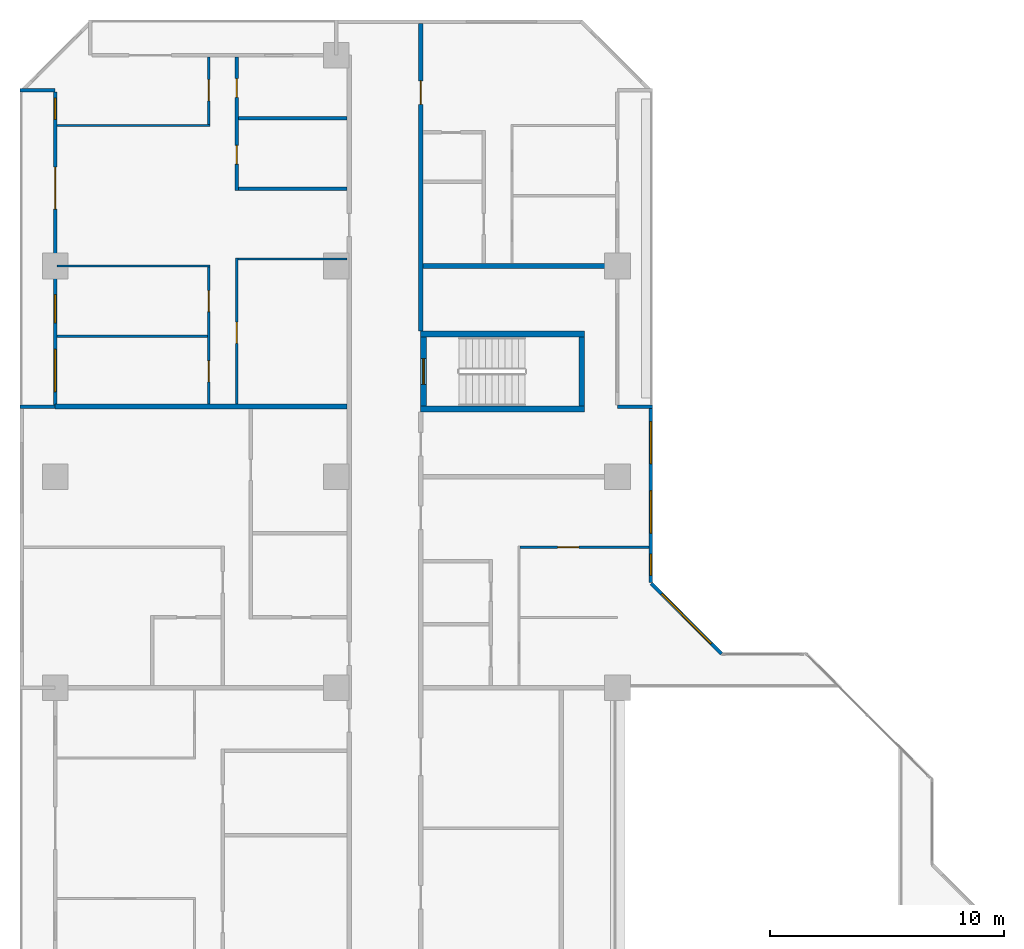
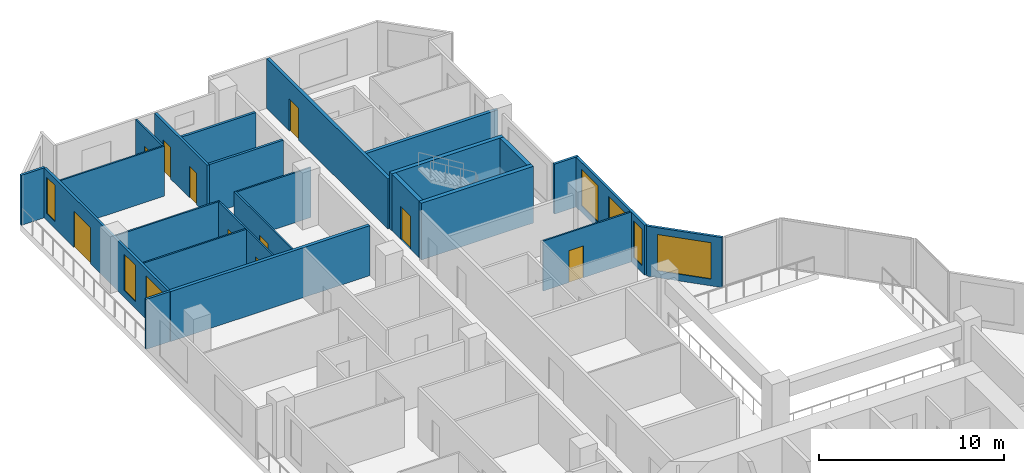
# One storey, part 10 of 16: 24 walls, 10 doors, 7 windows, 17 openings.
"""IFC4 building model written with IfcOpenShell, lengths in metres."""

from ifc_helpers import new_model, si_unit, direction, frame, frame_2d, origin, place, context, subcontext, project, spatial, rectangle, extrude, material, layer, layer_set, type_object, element, fill, save


model = new_model("IFC4")

# Units and contexts
model_context = context("Model", 3, precision=1e-05, world=origin(), true_north=direction((0.0, 1.0)))
body_context = subcontext(model_context, "Body", "Model", "MODEL_VIEW")
ifc_project = project(units=[si_unit("LENGTHUNIT", "METRE"), si_unit("AREAUNIT", "SQUARE_METRE"), si_unit("VOLUMEUNIT", "CUBIC_METRE"), si_unit("PLANEANGLEUNIT", "RADIAN"), si_unit("MASSUNIT", "GRAM", prefix="KILO")], contexts=[model_context])

# Site, building, storey
site_placement = place(None, origin())
site = spatial("IfcSite", under=ifc_project, at=site_placement, CompositionType="ELEMENT")
building_placement = place(site_placement, origin())
building = spatial("IfcBuilding", under=site, at=building_placement, Name="Chenar Terraces", CompositionType="ELEMENT")
storey_placement = place(building_placement, frame((0.0, 0.0, 82.64990234375)))
storey = spatial("IfcBuildingStorey", under=building, at=storey_placement, Name="L18", CompositionType="ELEMENT", Elevation=82.64990234375)

# Walls
ifc_material_1 = material(Name="Concrete C70/85", Category="concrete")
ifc_layer_1 = layer(ifc_material_1, 0.25)
ifc_layer_set_1 = layer_set([ifc_layer_1], Name="Concrete C70/85")
wall_type_1 = type_object("IfcWallType", Name="Core wall 250 Concrete C70/85", PredefinedType="SHEAR", material=ifc_layer_set_1)
for number, where, z_axis, x_axis, name in (
    (1, (15.60009765625, 47.89990234375, 0.0), (0.0, 0.0, 1.0), (1.0, 0.0, 0.0), "Core wall ST4_S L18"),
    (2, (15.60009765625, 51.10009765625, 0.0), (0.0, 0.0, 1.0), (1.0, 0.0, 0.0), "Core wall ST4_N L18"),
):
    element("IfcWall", number, at=place(storey_placement, frame(where, z_axis=z_axis, x_axis=x_axis)), inside=storey, type_object=wall_type_1, Name=name, PredefinedType="SHEAR", context=body_context, shape_type="SweptSolid", body=[
        extrude(rectangle(XDim=7.0, YDim=0.25, at=frame_2d((3.5, 0.0))), origin(), (0.0, 0.0, 1.0), 3.75),
    ])

# Wall, opening, door
wall_1_placement = place(storey_placement, frame((15.72509765625, 48.02490234375, 0.0), z_axis=(0.0, 0.0, 1.0), x_axis=(0.0, 1.0, 0.0)))
wall_1 = element("IfcWall", 3, at=wall_1_placement, inside=storey, type_object=wall_type_1, Name="Core wall ST4_W L18", PredefinedType="SHEAR", context=body_context, shape_type="SweptSolid", body=[
    extrude(rectangle(XDim=2.9501953125, YDim=0.25, at=frame_2d((1.47509765625, 0.0))), origin(), (0.0, 0.0, 1.0), 3.75),
])
opening_1_placement = place(wall_1_placement, frame((0.925048828125, 0.0, 0.0)))
opening_1 = element("IfcOpeningElement", 4, at=opening_1_placement, cuts=wall_1, Name="Opening DL18-C9", PredefinedType="OPENING", context=body_context, shape_type="SweptSolid", body=[
    extrude(rectangle(XDim=1.10009765625, YDim=2.199951171875, at=frame_2d((0.550048828125, 1.10009765625))), frame((0.0, 0.135009765625, 0.0), z_axis=(0.0, -1.0, 0.0), x_axis=(1.0, 0.0, 0.0)), (0.0, 0.0, 1.0), 0.27001953125),
])
ifc_material_2 = material(Name="Steel-framed fire-resisting door leaf", Category="steel")
door_type_1 = type_object("IfcDoorType", Name="Stair fire door FD60 1100 x 2200", OperationType="SINGLE_SWING_LEFT", PredefinedType="DOOR", material=ifc_material_2)
door_1_placement = place(opening_1_placement, frame((1.10009765625, 0.0, 0.0), z_axis=(0.0, 0.0, 1.0), x_axis=(-1.0, 0.0, 0.0)))
door_1 = element("IfcDoor", 5, at=door_1_placement, inside=storey, type_object=door_type_1, Name="Stair door DL18-C9", OperationType="SINGLE_SWING_RIGHT", OverallHeight=2.199951171875, OverallWidth=1.10009765625, PredefinedType="DOOR", context=body_context, shape_type="SweptSolid", body=[
    extrude(rectangle(XDim=1.10009765625, YDim=2.199951171875, at=frame_2d((0.550048828125, 1.10009765625))), frame((0.0, 0.02490234375, 0.0), z_axis=(0.0, -1.0, 0.0), x_axis=(1.0, 0.0, 0.0)), (0.0, 0.0, 1.0), 0.050048828125),
])
fill(opening_1, door_1)

# Wall
wall_2_placement = place(storey_placement, frame((22.47509765625, 48.02490234375, 0.0), z_axis=(0.0, 0.0, 1.0), x_axis=(0.0, 1.0, 0.0)))
element("IfcWall", 6, at=wall_2_placement, inside=storey, type_object=wall_type_1, Name="Core wall ST4_E L18", PredefinedType="SHEAR", context=body_context, shape_type="SweptSolid", body=[
    extrude(rectangle(XDim=2.9501953125, YDim=0.25, at=frame_2d((1.47509765625, 0.0))), origin(), (0.0, 0.0, 1.0), 3.75),
])

# Wall, opening, door
ifc_material_3 = material(Name="Gypsum board on steel studs with fire boards", Category="steel")
ifc_layer_2 = layer(ifc_material_3, 0.199951171875)
ifc_layer_set_2 = layer_set([ifc_layer_2], Name="Gypsum board on steel studs with fire boards")
wall_type_2 = type_object("IfcWallType", Name="Corridor wall 200", PredefinedType="PARTITIONING", material=ifc_layer_set_2)
wall_3_placement = place(storey_placement, frame((15.60009765625, 51.22509765625, 0.0), z_axis=(0.0, 0.0, 1.0), x_axis=(0.0, 1.0, 0.0)))
wall_3 = element("IfcWall", 7, at=wall_3_placement, inside=storey, type_object=wall_type_2, Name="Partition L18-038", PredefinedType="PARTITIONING", context=body_context, shape_type="SweptSolid", body=[
    extrude(rectangle(XDim=13.125, YDim=0.199951171875, at=frame_2d((6.5625, 0.0))), origin(), (0.0, 0.0, 1.0), 3.300048828125),
])
opening_2_placement = place(wall_3_placement, frame((9.675048828125, 0.0, 0.0)))
opening_2 = element("IfcOpeningElement", 8, at=opening_2_placement, cuts=wall_3, Name="Opening DL18-39", PredefinedType="OPENING", context=body_context, shape_type="SweptSolid", body=[
    extrude(rectangle(XDim=1.0, YDim=2.10009765625, at=frame_2d((0.5, 1.050048828125))), frame((0.0, 0.10986328125, 0.0), z_axis=(0.0, -1.0, 0.0), x_axis=(1.0, 0.0, 0.0)), (0.0, 0.0, 1.0), 0.219970703125),
])
ifc_material_4 = material(Name="Steel-framed fire-resisting door leaf", Category="steel")
door_type_2 = type_object("IfcDoorType", Name="Fire door FD30S 1000 x 2100", OperationType="SINGLE_SWING_LEFT", PredefinedType="DOOR", material=ifc_material_4)
door_2_placement = place(opening_2_placement, frame((1.0, 0.0, 0.0), z_axis=(0.0, 0.0, 1.0), x_axis=(-1.0, 0.0, 0.0)))
door_2 = element("IfcDoor", 9, at=door_2_placement, inside=storey, type_object=door_type_2, Name="Door DL18-39", OperationType="SINGLE_SWING_RIGHT", OverallHeight=2.10009765625, OverallWidth=1.0, PredefinedType="DOOR", context=body_context, shape_type="SweptSolid", body=[
    extrude(rectangle(XDim=1.0, YDim=2.10009765625, at=frame_2d((0.5, 1.050048828125))), frame((0.0, 0.02490234375, 0.0), z_axis=(0.0, -1.0, 0.0), x_axis=(1.0, 0.0, 0.0)), (0.0, 0.0, 1.0), 0.050048828125),
])
fill(opening_2, door_2)

# Wall, openings, windows
ifc_material_5 = material(Name="Aluminium framed glazing", Category="aluminium")
ifc_layer_3 = layer(ifc_material_5, 0.14990234375)
ifc_layer_set_3 = layer_set([ifc_layer_3], Name="Aluminium framed glazing")
wall_type_3 = type_object("IfcWallType", Name="Glazed flush facade wall 150", PredefinedType="SOLIDWALL", material=ifc_layer_set_3)
wall_4_placement = place(storey_placement, frame((25.425048828125, 40.5, 0.0), z_axis=(0.0, 0.0, 1.0), x_axis=(0.0, 1.0, 0.0)))
wall_4 = element("IfcWall", 10, at=wall_4_placement, inside=storey, type_object=wall_type_3, Name="Glazed flush facade wall", PredefinedType="SOLIDWALL", context=body_context, shape_type="SweptSolid", body=[
    extrude(rectangle(XDim=7.425048828125, YDim=0.14990234375, at=frame_2d((3.71240234375, 0.0))), origin(), (0.0, 0.0, 1.0), 3.300048828125),
])
opening_3_placement = place(wall_4_placement, frame((0.300048828125, 0.0, 0.449951171875)))
opening_3 = element("IfcOpeningElement", 11, at=opening_3_placement, cuts=wall_4, Name="Opening W90x240", PredefinedType="OPENING", context=body_context, shape_type="SweptSolid", body=[
    extrude(rectangle(XDim=0.89990234375, YDim=2.39990234375, at=frame_2d((0.449951171875, 1.199951171875))), frame((0.0, 0.0849609375, 0.0), z_axis=(0.0, -1.0, 0.0), x_axis=(1.0, 0.0, 0.0)), (0.0, 0.0, 1.0), 0.169921875),
])
opening_4_placement = place(wall_4_placement, frame((2.10009765625, 0.0, 0.449951171875)))
opening_4 = element("IfcOpeningElement", 12, at=opening_4_placement, cuts=wall_4, Name="Opening W180x240", PredefinedType="OPENING", context=body_context, shape_type="SweptSolid", body=[
    extrude(rectangle(XDim=1.800048828125, YDim=2.39990234375, at=frame_2d((0.89990234375, 1.199951171875))), frame((0.0, 0.0849609375, 0.0), z_axis=(0.0, -1.0, 0.0), x_axis=(1.0, 0.0, 0.0)), (0.0, 0.0, 1.0), 0.169921875),
])
opening_5_placement = place(wall_4_placement, frame((5.0625, 0.0, 0.449951171875)))
opening_5 = element("IfcOpeningElement", 13, at=opening_5_placement, cuts=wall_4, Name="Opening W180x240", PredefinedType="OPENING", context=body_context, shape_type="SweptSolid", body=[
    extrude(rectangle(XDim=1.800048828125, YDim=2.39990234375, at=frame_2d((0.89990234375, 1.199951171875))), frame((0.0, 0.0849609375, 0.0), z_axis=(0.0, -1.0, 0.0), x_axis=(1.0, 0.0, 0.0)), (0.0, 0.0, 1.0), 0.169921875),
])
ifc_material_6 = material(Name="Low emissivity double glazing, aluminium frame", Category="aluminium")
window_type_1 = type_object("IfcWindowType", Name="Fixed light 1800 x 2400", PartitioningType="SINGLE_PANEL", PredefinedType="WINDOW", material=ifc_material_6)
window_1_placement = place(opening_4_placement, origin())
window_1 = element("IfcWindow", 14, at=window_1_placement, inside=storey, type_object=window_type_1, Name="Window", OverallHeight=2.39990234375, OverallWidth=1.800048828125, PartitioningType="SINGLE_PANEL", PredefinedType="WINDOW", context=body_context, shape_type="SweptSolid", body=[
    extrude(rectangle(XDim=1.800048828125, YDim=2.39990234375, at=frame_2d((0.89990234375, 1.199951171875))), frame((0.0, 0.030029296875, 0.0), z_axis=(0.0, -1.0, 0.0), x_axis=(1.0, 0.0, 0.0)), (0.0, 0.0, 1.0), 0.06005859375),
])
fill(opening_4, window_1)
window_2_placement = place(opening_5_placement, origin())
window_2 = element("IfcWindow", 15, at=window_2_placement, inside=storey, type_object=window_type_1, Name="Window", OverallHeight=2.39990234375, OverallWidth=1.800048828125, PartitioningType="SINGLE_PANEL", PredefinedType="WINDOW", context=body_context, shape_type="SweptSolid", body=[
    extrude(rectangle(XDim=1.800048828125, YDim=2.39990234375, at=frame_2d((0.89990234375, 1.199951171875))), frame((0.0, 0.030029296875, 0.0), z_axis=(0.0, -1.0, 0.0), x_axis=(1.0, 0.0, 0.0)), (0.0, 0.0, 1.0), 0.06005859375),
])
fill(opening_5, window_2)
ifc_material_7 = material(Name="Low emissivity double glazing, aluminium frame", Category="aluminium")
window_type_2 = type_object("IfcWindowType", Name="Fixed light 900 x 2400", PartitioningType="SINGLE_PANEL", PredefinedType="WINDOW", material=ifc_material_7)
window_3_placement = place(opening_3_placement, origin())
window_3 = element("IfcWindow", 16, at=window_3_placement, inside=storey, type_object=window_type_2, Name="Window", OverallHeight=2.39990234375, OverallWidth=0.89990234375, PartitioningType="SINGLE_PANEL", PredefinedType="WINDOW", context=body_context, shape_type="SweptSolid", body=[
    extrude(rectangle(XDim=0.89990234375, YDim=2.39990234375, at=frame_2d((0.449951171875, 1.199951171875))), frame((0.0, 0.030029296875, 0.0), z_axis=(0.0, -1.0, 0.0), x_axis=(1.0, 0.0, 0.0)), (0.0, 0.0, 1.0), 0.06005859375),
])
fill(opening_3, window_3)

# Wall, openings, windows, door
ifc_material_8 = material(Name="Aluminium framed glazing", Category="aluminium")
ifc_layer_4 = layer(ifc_material_8, 0.14990234375)
ifc_layer_set_4 = layer_set([ifc_layer_4], Name="Aluminium framed glazing")
wall_type_4 = type_object("IfcWallType", Name="Glazed loggia back wall 150", PredefinedType="SOLIDWALL", material=ifc_layer_set_4)
wall_5_placement = place(storey_placement, frame((0.0, 61.425048828125, 0.0), z_axis=(0.0, 0.0, 1.0), x_axis=(0.0, -1.0, 0.0)))
wall_5 = element("IfcWall", 17, at=wall_5_placement, inside=storey, type_object=wall_type_4, Name="Glazed loggia back wall", PredefinedType="SOLIDWALL", context=body_context, shape_type="SweptSolid", body=[
    extrude(rectangle(XDim=13.35009765625, YDim=0.14990234375, at=frame_2d((6.675048828125, 0.0))), origin(), (0.0, 0.0, 1.0), 3.300048828125),
])
opening_6_placement = place(wall_5_placement, frame((0.262451171875, 0.0, 0.449951171875)))
opening_6 = element("IfcOpeningElement", 18, at=opening_6_placement, cuts=wall_5, Name="Opening W90x240", PredefinedType="OPENING", context=body_context, shape_type="SweptSolid", body=[
    extrude(rectangle(XDim=0.89990234375, YDim=2.39990234375, at=frame_2d((0.449951171875, 1.199951171875))), frame((0.0, 0.0849609375, 0.0), z_axis=(0.0, -1.0, 0.0), x_axis=(1.0, 0.0, 0.0)), (0.0, 0.0, 1.0), 0.169921875),
])
opening_7_placement = place(wall_5_placement, frame((3.199951171875, 0.0, 0.0)))
opening_7 = element("IfcOpeningElement", 19, at=opening_7_placement, cuts=wall_5, Name="Opening DL18-G3", PredefinedType="OPENING", context=body_context, shape_type="SweptSolid", body=[
    extrude(rectangle(XDim=1.800048828125, YDim=2.39990234375, at=frame_2d((0.89990234375, 1.199951171875))), frame((0.0, 0.0849609375, 0.0), z_axis=(0.0, -1.0, 0.0), x_axis=(1.0, 0.0, 0.0)), (0.0, 0.0, 1.0), 0.169921875),
])
opening_8_placement = place(wall_5_placement, frame((8.64990234375, 0.0, 0.449951171875)))
opening_8 = element("IfcOpeningElement", 20, at=opening_8_placement, cuts=wall_5, Name="Opening W120x240", PredefinedType="OPENING", context=body_context, shape_type="SweptSolid", body=[
    extrude(rectangle(XDim=1.199951171875, YDim=2.39990234375, at=frame_2d((0.60009765625, 1.199951171875))), frame((0.0, 0.0849609375, 0.0), z_axis=(0.0, -1.0, 0.0), x_axis=(1.0, 0.0, 0.0)), (0.0, 0.0, 1.0), 0.169921875),
])
opening_9_placement = place(wall_5_placement, frame((10.987548828125, 0.0, 0.449951171875)))
opening_9 = element("IfcOpeningElement", 21, at=opening_9_placement, cuts=wall_5, Name="Opening W180x240", PredefinedType="OPENING", context=body_context, shape_type="SweptSolid", body=[
    extrude(rectangle(XDim=1.800048828125, YDim=2.39990234375, at=frame_2d((0.89990234375, 1.199951171875))), frame((0.0, 0.0849609375, 0.0), z_axis=(0.0, -1.0, 0.0), x_axis=(1.0, 0.0, 0.0)), (0.0, 0.0, 1.0), 0.169921875),
])
ifc_material_9 = material(Name="Low emissivity double glazing, aluminium frame", Category="aluminium")
window_type_3 = type_object("IfcWindowType", Name="Fixed light 1200 x 2400", PartitioningType="SINGLE_PANEL", PredefinedType="WINDOW", material=ifc_material_9)
window_4_placement = place(opening_8_placement, origin())
window_4 = element("IfcWindow", 22, at=window_4_placement, inside=storey, type_object=window_type_3, Name="Window", OverallHeight=2.39990234375, OverallWidth=1.199951171875, PartitioningType="SINGLE_PANEL", PredefinedType="WINDOW", context=body_context, shape_type="SweptSolid", body=[
    extrude(rectangle(XDim=1.199951171875, YDim=2.39990234375, at=frame_2d((0.60009765625, 1.199951171875))), frame((0.0, 0.030029296875, 0.0), z_axis=(0.0, -1.0, 0.0), x_axis=(1.0, 0.0, 0.0)), (0.0, 0.0, 1.0), 0.06005859375),
])
fill(opening_8, window_4)
window_5_placement = place(opening_9_placement, origin())
window_5 = element("IfcWindow", 23, at=window_5_placement, inside=storey, type_object=window_type_1, Name="Window", OverallHeight=2.39990234375, OverallWidth=1.800048828125, PartitioningType="SINGLE_PANEL", PredefinedType="WINDOW", context=body_context, shape_type="SweptSolid", body=[
    extrude(rectangle(XDim=1.800048828125, YDim=2.39990234375, at=frame_2d((0.89990234375, 1.199951171875))), frame((0.0, 0.030029296875, 0.0), z_axis=(0.0, -1.0, 0.0), x_axis=(1.0, 0.0, 0.0)), (0.0, 0.0, 1.0), 0.06005859375),
])
fill(opening_9, window_5)
window_6_placement = place(opening_6_placement, origin())
window_6 = element("IfcWindow", 24, at=window_6_placement, inside=storey, type_object=window_type_2, Name="Window", OverallHeight=2.39990234375, OverallWidth=0.89990234375, PartitioningType="SINGLE_PANEL", PredefinedType="WINDOW", context=body_context, shape_type="SweptSolid", body=[
    extrude(rectangle(XDim=0.89990234375, YDim=2.39990234375, at=frame_2d((0.449951171875, 1.199951171875))), frame((0.0, 0.030029296875, 0.0), z_axis=(0.0, -1.0, 0.0), x_axis=(1.0, 0.0, 0.0)), (0.0, 0.0, 1.0), 0.06005859375),
])
fill(opening_6, window_6)
ifc_material_10 = material(Name="Low emissivity double glazing, aluminium frame", Category="aluminium")
door_type_3 = type_object("IfcDoorType", Name="Loggia glazed double door 1800 x 2400", OperationType="DOUBLE_DOOR_SINGLE_SWING", PredefinedType="DOOR", material=ifc_material_10)
door_3_placement = place(opening_7_placement, frame((1.800048828125, 0.0, 0.0), z_axis=(0.0, 0.0, 1.0), x_axis=(-1.0, 0.0, 0.0)))
door_3 = element("IfcDoor", 25, at=door_3_placement, inside=storey, type_object=door_type_3, Name="Loggia glazed door", OperationType="DOUBLE_DOOR_SINGLE_SWING", OverallHeight=2.39990234375, OverallWidth=1.800048828125, PredefinedType="DOOR", context=body_context, shape_type="SweptSolid", body=[
    extrude(rectangle(XDim=1.800048828125, YDim=2.39990234375, at=frame_2d((0.89990234375, 1.199951171875))), frame((0.0, 0.02490234375, 0.0), z_axis=(0.0, -1.0, 0.0), x_axis=(1.0, 0.0, 0.0)), (0.0, 0.0, 1.0), 0.050048828125),
])
fill(opening_7, door_3)

# Walls
ifc_material_11 = material(Name="Gypsum board on steel studs", Category="steel")
ifc_layer_5 = layer(ifc_material_11, 0.10009765625)
ifc_layer_set_5 = layer_set([ifc_layer_5], Name="Gypsum board on steel studs")
wall_type_5 = type_object("IfcWallType", Name="Gypsum partition 100", PredefinedType="PARTITIONING", material=ifc_layer_set_5)
wall_6_placement = place(storey_placement, frame((0.073974609375, 51.0, 0.0), z_axis=(0.0, 0.0, 1.0), x_axis=(1.0, 0.0, 0.0)))
element("IfcWall", 26, at=wall_6_placement, inside=storey, type_object=wall_type_5, Name="Partition L18-008", PredefinedType="PARTITIONING", context=body_context, shape_type="SweptSolid", body=[
    extrude(rectangle(XDim=6.426025390625, YDim=0.10009765625, at=frame_2d((3.212890625, 0.0))), origin(), (0.0, 0.0, 1.0), 3.300048828125),
])
for number, where, z_axis, x_axis, name in (
    (27, (0.073974609375, 54.0, 0.0), (0.0, 0.0, 1.0), (1.0, 0.0, 0.0), "Partition L18-009"),
    (28, (0.073974609375, 60.0, 0.0), (0.0, 0.0, 1.0), (1.0, 0.0, 0.0), "Partition L18-010"),
):
    element("IfcWall", number, at=place(storey_placement, frame(where, z_axis=z_axis, x_axis=x_axis)), inside=storey, type_object=wall_type_5, Name=name, PredefinedType="PARTITIONING", context=body_context, shape_type="SweptSolid", body=[
        extrude(rectangle(XDim=6.526123046875, YDim=0.10009765625, at=frame_2d((3.26318359375, 0.0))), origin(), (0.0, 0.0, 1.0), 3.300048828125),
    ])

# Wall, openings, doors
wall_7_placement = place(storey_placement, frame((6.550048828125, 48.10009765625, 0.0), z_axis=(0.0, 0.0, 1.0), x_axis=(0.0, 1.0, 0.0)))
wall_7 = element("IfcWall", 29, at=wall_7_placement, inside=storey, type_object=wall_type_5, Name="Partition L18-016", PredefinedType="PARTITIONING", context=body_context, shape_type="SweptSolid", body=[
    extrude(rectangle(XDim=5.849853515625, YDim=0.10009765625, at=frame_2d((2.9248046875, 0.0))), origin(), (0.0, 0.0, 1.0), 3.300048828125),
])
opening_10_placement = place(wall_7_placement, frame((0.949951171875, 0.0, 0.0)))
opening_10 = element("IfcOpeningElement", 30, at=opening_10_placement, cuts=wall_7, Name="Opening DL18-46", PredefinedType="OPENING", context=body_context, shape_type="SweptSolid", body=[
    extrude(rectangle(XDim=0.89990234375, YDim=2.10009765625, at=frame_2d((0.449951171875, 1.050048828125))), frame((0.0, 0.06005859375, 0.0), z_axis=(0.0, -1.0, 0.0), x_axis=(1.0, 0.0, 0.0)), (0.0, 0.0, 1.0), 0.1201171875),
])
opening_11_placement = place(wall_7_placement, frame((3.949951171875, 0.0, 0.0)))
opening_11 = element("IfcOpeningElement", 31, at=opening_11_placement, cuts=wall_7, Name="Opening DL18-51", PredefinedType="OPENING", context=body_context, shape_type="SweptSolid", body=[
    extrude(rectangle(XDim=0.89990234375, YDim=2.10009765625, at=frame_2d((0.449951171875, 1.050048828125))), frame((0.0, 0.06005859375, 0.0), z_axis=(0.0, -1.0, 0.0), x_axis=(1.0, 0.0, 0.0)), (0.0, 0.0, 1.0), 0.1201171875),
])
ifc_material_12 = material(Name="Veneered timber door leaf", Category="wood")
door_type_4 = type_object("IfcDoorType", Name="Door 900 x 2100", OperationType="SINGLE_SWING_LEFT", PredefinedType="DOOR", material=ifc_material_12)
door_4_placement = place(opening_10_placement, origin())
door_4 = element("IfcDoor", 32, at=door_4_placement, inside=storey, type_object=door_type_4, Name="Door DL18-46", OperationType="SINGLE_SWING_RIGHT", OverallHeight=2.10009765625, OverallWidth=0.89990234375, PredefinedType="DOOR", context=body_context, shape_type="SweptSolid", body=[
    extrude(rectangle(XDim=0.89990234375, YDim=2.10009765625, at=frame_2d((0.449951171875, 1.050048828125))), frame((0.0, 0.02490234375, 0.0), z_axis=(0.0, -1.0, 0.0), x_axis=(1.0, 0.0, 0.0)), (0.0, 0.0, 1.0), 0.050048828125),
])
fill(opening_10, door_4)
door_5_placement = place(opening_11_placement, origin())
door_5 = element("IfcDoor", 33, at=door_5_placement, inside=storey, type_object=door_type_4, Name="Door DL18-51", OperationType="SINGLE_SWING_RIGHT", OverallHeight=2.10009765625, OverallWidth=0.89990234375, PredefinedType="DOOR", context=body_context, shape_type="SweptSolid", body=[
    extrude(rectangle(XDim=0.89990234375, YDim=2.10009765625, at=frame_2d((0.449951171875, 1.050048828125))), frame((0.0, 0.02490234375, 0.0), z_axis=(0.0, -1.0, 0.0), x_axis=(1.0, 0.0, 0.0)), (0.0, 0.0, 1.0), 0.050048828125),
])
fill(opening_11, door_5)

# Wall, opening, door
wall_8_placement = place(storey_placement, frame((6.550048828125, 60.050048828125, 0.0), z_axis=(0.0, 0.0, 1.0), x_axis=(0.0, 1.0, 0.0)))
wall_8 = element("IfcWall", 34, at=wall_8_placement, inside=storey, type_object=wall_type_5, Name="Partition L18-017", PredefinedType="PARTITIONING", context=body_context, shape_type="SweptSolid", body=[
    extrude(rectangle(XDim=2.8759765625, YDim=0.10009765625, at=frame_2d((1.43798828125, 0.0))), origin(), (0.0, 0.0, 1.0), 3.300048828125),
])
opening_12_placement = place(wall_8_placement, frame((1.0, 0.0, 0.0)))
opening_12 = element("IfcOpeningElement", 35, at=opening_12_placement, cuts=wall_8, Name="Opening DL18-47", PredefinedType="OPENING", context=body_context, shape_type="SweptSolid", body=[
    extrude(rectangle(XDim=0.89990234375, YDim=2.10009765625, at=frame_2d((0.449951171875, 1.050048828125))), frame((0.0, 0.06005859375, 0.0), z_axis=(0.0, -1.0, 0.0), x_axis=(1.0, 0.0, 0.0)), (0.0, 0.0, 1.0), 0.1201171875),
])
door_6_placement = place(opening_12_placement, origin())
door_6 = element("IfcDoor", 36, at=door_6_placement, inside=storey, type_object=door_type_4, Name="Door DL18-47", OperationType="SINGLE_SWING_RIGHT", OverallHeight=2.10009765625, OverallWidth=0.89990234375, PredefinedType="DOOR", context=body_context, shape_type="SweptSolid", body=[
    extrude(rectangle(XDim=0.89990234375, YDim=2.10009765625, at=frame_2d((0.449951171875, 1.050048828125))), frame((0.0, 0.02490234375, 0.0), z_axis=(0.0, -1.0, 0.0), x_axis=(1.0, 0.0, 0.0)), (0.0, 0.0, 1.0), 0.050048828125),
])
fill(opening_12, door_6)

wall_9_placement = place(storey_placement, frame((7.75, 48.10009765625, 0.0), z_axis=(0.0, 0.0, 1.0), x_axis=(0.0, 1.0, 0.0)))
wall_9 = element("IfcWall", 37, at=wall_9_placement, inside=storey, type_object=wall_type_5, Name="Partition L18-022", PredefinedType="PARTITIONING", context=body_context, shape_type="SweptSolid", body=[
    extrude(rectangle(XDim=6.25, YDim=0.10009765625, at=frame_2d((3.125, 0.0))), origin(), (0.0, 0.0, 1.0), 3.300048828125),
])
opening_13_placement = place(wall_9_placement, frame((2.60009765625, 0.0, 0.0)))
opening_13 = element("IfcOpeningElement", 38, at=opening_13_placement, cuts=wall_9, Name="Opening DL18-48", PredefinedType="OPENING", context=body_context, shape_type="SweptSolid", body=[
    extrude(rectangle(XDim=0.89990234375, YDim=2.10009765625, at=frame_2d((0.449951171875, 1.050048828125))), frame((0.0, 0.06005859375, 0.0), z_axis=(0.0, -1.0, 0.0), x_axis=(1.0, 0.0, 0.0)), (0.0, 0.0, 1.0), 0.1201171875),
])
door_7_placement = place(opening_13_placement, frame((0.89990234375, 0.0, 0.0), z_axis=(0.0, 0.0, 1.0), x_axis=(-1.0, 0.0, 0.0)))
door_7 = element("IfcDoor", 39, at=door_7_placement, inside=storey, type_object=door_type_4, Name="Door DL18-48", OperationType="SINGLE_SWING_LEFT", OverallHeight=2.10009765625, OverallWidth=0.89990234375, PredefinedType="DOOR", context=body_context, shape_type="SweptSolid", body=[
    extrude(rectangle(XDim=0.89990234375, YDim=2.10009765625, at=frame_2d((0.449951171875, 1.050048828125))), frame((0.0, 0.02490234375, 0.0), z_axis=(0.0, -1.0, 0.0), x_axis=(1.0, 0.0, 0.0)), (0.0, 0.0, 1.0), 0.050048828125),
])
fill(opening_13, door_7)

# Wall
wall_10_placement = place(storey_placement, frame((7.800048828125, 54.300048828125, 0.0), z_axis=(0.0, 0.0, 1.0), x_axis=(1.0, 0.0, 0.0)))
element("IfcWall", 40, at=wall_10_placement, inside=storey, type_object=wall_type_5, Name="Partition L18-024", PredefinedType="PARTITIONING", context=body_context, shape_type="SweptSolid", body=[
    extrude(rectangle(XDim=4.64990234375, YDim=0.10009765625, at=frame_2d((2.324951171875, 0.0))), origin(), (0.0, 0.0, 1.0), 3.300048828125),
])

# Wall, opening, door
wall_11_placement = place(storey_placement, frame((19.85009765625, 42.0, 0.0), z_axis=(0.0, 0.0, 1.0), x_axis=(1.0, 0.0, 0.0)))
wall_11 = element("IfcWall", 41, at=wall_11_placement, inside=storey, type_object=wall_type_5, Name="Partition L18-056", PredefinedType="PARTITIONING", context=body_context, shape_type="SweptSolid", body=[
    extrude(rectangle(XDim=5.5, YDim=0.10009765625, at=frame_2d((2.75, 0.0))), origin(), (0.0, 0.0, 1.0), 3.300048828125),
])
opening_14_placement = place(wall_11_placement, frame((1.60009765625, 0.0, 0.0)))
opening_14 = element("IfcOpeningElement", 42, at=opening_14_placement, cuts=wall_11, Name="Opening DL18-32", PredefinedType="OPENING", context=body_context, shape_type="SweptSolid", body=[
    extrude(rectangle(XDim=0.89990234375, YDim=2.10009765625, at=frame_2d((0.449951171875, 1.050048828125))), frame((0.0, 0.06005859375, 0.0), z_axis=(0.0, -1.0, 0.0), x_axis=(1.0, 0.0, 0.0)), (0.0, 0.0, 1.0), 0.1201171875),
])
door_8_placement = place(opening_14_placement, frame((0.89990234375, 0.0, 0.0), z_axis=(0.0, 0.0, 1.0), x_axis=(-1.0, 0.0, 0.0)))
door_8 = element("IfcDoor", 43, at=door_8_placement, inside=storey, type_object=door_type_4, Name="Door DL18-32", OperationType="SINGLE_SWING_LEFT", OverallHeight=2.10009765625, OverallWidth=0.89990234375, PredefinedType="DOOR", context=body_context, shape_type="SweptSolid", body=[
    extrude(rectangle(XDim=0.89990234375, YDim=2.10009765625, at=frame_2d((0.449951171875, 1.050048828125))), frame((0.0, 0.02490234375, 0.0), z_axis=(0.0, -1.0, 0.0), x_axis=(1.0, 0.0, 0.0)), (0.0, 0.0, 1.0), 0.050048828125),
])
fill(opening_14, door_8)

# Walls
ifc_material_13 = material(Name="Terracotta cladding on insulated backing", Category="masonry")
ifc_layer_6 = layer(ifc_material_13, 0.14990234375)
ifc_layer_set_6 = layer_set([ifc_layer_6], Name="Terracotta cladding on insulated backing")
wall_type_6 = type_object("IfcWallType", Name="Loggia return wall 150", PredefinedType="SOLIDWALL", material=ifc_layer_set_6)
for number, where, z_axis, x_axis, name in (
    (44, (25.5, 48.0, 0.0), (0.0, 0.0, 1.0), (-1.0, 0.0, 0.0), "Loggia return wall"),
    (45, (-1.5, 61.5, 0.0), (0.0, 0.0, 1.0), (1.0, 0.0, 0.0), "Loggia return wall"),
    (46, (-1.5, 48.0, 0.0), (0.0, 0.0, 1.0), (1.0, 0.0, 0.0), "Loggia return wall"),
):
    element("IfcWall", number, at=place(storey_placement, frame(where, z_axis=z_axis, x_axis=x_axis)), inside=storey, type_object=wall_type_6, Name=name, PredefinedType="SOLIDWALL", context=body_context, shape_type="SweptSolid", body=[
        extrude(rectangle(XDim=1.5, YDim=0.14990234375, at=frame_2d((0.75, 0.0))), origin(), (0.0, 0.0, 1.0), 3.300048828125),
    ])

# Wall, opening, window
ifc_material_14 = material(Name="Terracotta cladding on insulated backing", Category="masonry")
ifc_layer_7 = layer(ifc_material_14, 0.14990234375)
ifc_layer_set_7 = layer_set([ifc_layer_7], Name="Terracotta cladding on insulated backing")
wall_type_7 = type_object("IfcWallType", Name="Terracotta rainscreen wall 150", PredefinedType="SOLIDWALL", material=ifc_layer_set_7)
wall_12_placement = place(storey_placement, frame((28.447021484375, 37.447021484375, 0.0), z_axis=(0.0, 0.0, 1.0), x_axis=(-0.707106781187, 0.707106781187, 0.0)))
wall_12 = element("IfcWall", 47, at=wall_12_placement, inside=storey, type_object=wall_type_7, Name="Terracotta rainscreen wall", PredefinedType="SOLIDWALL", context=body_context, shape_type="SweptSolid", body=[
    extrude(rectangle(XDim=4.24267578125, YDim=0.14990234375, at=frame_2d((2.121337890625, 0.0))), origin(), (0.0, 0.0, 1.0), 3.300048828125),
])
opening_15_placement = place(wall_12_placement, frame((0.621337890625, 0.0, 0.449951171875)))
opening_15 = element("IfcOpeningElement", 48, at=opening_15_placement, cuts=wall_12, Name="Opening W300x240", PredefinedType="OPENING", context=body_context, shape_type="SweptSolid", body=[
    extrude(rectangle(XDim=3.0, YDim=2.39990234375, at=frame_2d((1.5, 1.199951171875))), frame((0.0, 0.0849609375, 0.0), z_axis=(0.0, -1.0, 0.0), x_axis=(1.0, 0.0, 0.0)), (0.0, 0.0, 1.0), 0.169921875),
])
ifc_material_15 = material(Name="Low emissivity double glazing, aluminium frame", Category="aluminium")
window_type_4 = type_object("IfcWindowType", Name="Fixed light 3000 x 2400", PartitioningType="SINGLE_PANEL", PredefinedType="WINDOW", material=ifc_material_15)
window_7_placement = place(opening_15_placement, origin())
window_7 = element("IfcWindow", 49, at=window_7_placement, inside=storey, type_object=window_type_4, Name="Window", OverallHeight=2.39990234375, OverallWidth=3.0, PartitioningType="SINGLE_PANEL", PredefinedType="WINDOW", context=body_context, shape_type="SweptSolid", body=[
    extrude(rectangle(XDim=3.0, YDim=2.39990234375, at=frame_2d((1.5, 1.199951171875))), frame((0.0, 0.030029296875, 0.0), z_axis=(0.0, -1.0, 0.0), x_axis=(1.0, 0.0, 0.0)), (0.0, 0.0, 1.0), 0.06005859375),
])
fill(opening_15, window_7)

# Walls
ifc_material_16 = material(Name="Twin gypsum board on steel studs with mineral wool", Category="steel")
ifc_layer_8 = layer(ifc_material_16, 0.199951171875)
ifc_layer_set_8 = layer_set([ifc_layer_8], Name="Twin gypsum board on steel studs with mineral wool")
wall_type_8 = type_object("IfcWallType", Name="Unit demising wall 200", PredefinedType="PARTITIONING", material=ifc_layer_set_8)
wall_13_placement = place(storey_placement, frame((0.0, 48.0, 0.0), z_axis=(0.0, 0.0, 1.0), x_axis=(1.0, 0.0, 0.0)))
element("IfcWall", 50, at=wall_13_placement, inside=storey, type_object=wall_type_8, Name="Partition L18-005", PredefinedType="PARTITIONING", context=body_context, shape_type="SweptSolid", body=[
    extrude(rectangle(XDim=12.449951171875, YDim=0.199951171875, at=frame_2d((6.22509765625, 0.0))), origin(), (0.0, 0.0, 1.0), 3.300048828125),
])
wall_14_placement = place(storey_placement, frame((15.699951171875, 54.0, 0.0), z_axis=(0.0, 0.0, 1.0), x_axis=(1.0, 0.0, 0.0)))
element("IfcWall", 51, at=wall_14_placement, inside=storey, type_object=wall_type_8, Name="Partition L18-045", PredefinedType="PARTITIONING", context=body_context, shape_type="SweptSolid", body=[
    extrude(rectangle(XDim=8.22607421875, YDim=0.199951171875, at=frame_2d((4.113037109375, 0.0))), origin(), (0.0, 0.0, 1.0), 3.300048828125),
])

# Wall, openings, doors
ifc_material_17 = material(Name="Moisture-resistant gypsum board on steel studs", Category="steel")
ifc_layer_9 = layer(ifc_material_17, 0.14990234375)
ifc_layer_set_9 = layer_set([ifc_layer_9], Name="Moisture-resistant gypsum board on steel studs")
wall_type_9 = type_object("IfcWallType", Name="Wet-room partition 150", PredefinedType="PARTITIONING", material=ifc_layer_set_9)
wall_15_placement = place(storey_placement, frame((7.75, 57.22509765625, 0.0), z_axis=(0.0, 0.0, 1.0), x_axis=(0.0, 1.0, 0.0)))
wall_15 = element("IfcWall", 52, at=wall_15_placement, inside=storey, type_object=wall_type_9, Name="Partition L18-023", PredefinedType="PARTITIONING", context=body_context, shape_type="SweptSolid", body=[
    extrude(rectangle(XDim=5.700927734375, YDim=0.14990234375, at=frame_2d((2.8505859375, 0.0))), origin(), (0.0, 0.0, 1.0), 3.300048828125),
])
opening_16_placement = place(wall_15_placement, frame((1.125, 0.0, 0.0)))
opening_16 = element("IfcOpeningElement", 53, at=opening_16_placement, cuts=wall_15, Name="Opening DL18-45", PredefinedType="OPENING", context=body_context, shape_type="SweptSolid", body=[
    extrude(rectangle(XDim=0.800048828125, YDim=2.10009765625, at=frame_2d((0.39990234375, 1.050048828125))), frame((0.0, 0.0849609375, 0.0), z_axis=(0.0, -1.0, 0.0), x_axis=(1.0, 0.0, 0.0)), (0.0, 0.0, 1.0), 0.169921875),
])
opening_17_placement = place(wall_15_placement, frame((3.97509765625, 0.0, 0.0)))
opening_17 = element("IfcOpeningElement", 54, at=opening_17_placement, cuts=wall_15, Name="Opening DL18-49", PredefinedType="OPENING", context=body_context, shape_type="SweptSolid", body=[
    extrude(rectangle(XDim=0.800048828125, YDim=2.10009765625, at=frame_2d((0.39990234375, 1.050048828125))), frame((0.0, 0.0849609375, 0.0), z_axis=(0.0, -1.0, 0.0), x_axis=(1.0, 0.0, 0.0)), (0.0, 0.0, 1.0), 0.169921875),
])
ifc_material_18 = material(Name="Veneered timber door leaf", Category="wood")
door_type_5 = type_object("IfcDoorType", Name="Door 800 x 2100", OperationType="SINGLE_SWING_LEFT", PredefinedType="DOOR", material=ifc_material_18)
door_9_placement = place(opening_16_placement, frame((0.800048828125, 0.0, 0.0), z_axis=(0.0, 0.0, 1.0), x_axis=(-1.0, 0.0, 0.0)))
door_9 = element("IfcDoor", 55, at=door_9_placement, inside=storey, type_object=door_type_5, Name="Door DL18-45", OperationType="SINGLE_SWING_RIGHT", OverallHeight=2.10009765625, OverallWidth=0.800048828125, PredefinedType="DOOR", context=body_context, shape_type="SweptSolid", body=[
    extrude(rectangle(XDim=0.800048828125, YDim=2.10009765625, at=frame_2d((0.39990234375, 1.050048828125))), frame((0.0, 0.02490234375, 0.0), z_axis=(0.0, -1.0, 0.0), x_axis=(1.0, 0.0, 0.0)), (0.0, 0.0, 1.0), 0.050048828125),
])
fill(opening_16, door_9)
door_10_placement = place(opening_17_placement, frame((0.800048828125, 0.0, 0.0), z_axis=(0.0, 0.0, 1.0), x_axis=(-1.0, 0.0, 0.0)))
door_10 = element("IfcDoor", 56, at=door_10_placement, inside=storey, type_object=door_type_5, Name="Door DL18-49", OperationType="SINGLE_SWING_RIGHT", OverallHeight=2.10009765625, OverallWidth=0.800048828125, PredefinedType="DOOR", context=body_context, shape_type="SweptSolid", body=[
    extrude(rectangle(XDim=0.800048828125, YDim=2.10009765625, at=frame_2d((0.39990234375, 1.050048828125))), frame((0.0, 0.02490234375, 0.0), z_axis=(0.0, -1.0, 0.0), x_axis=(1.0, 0.0, 0.0)), (0.0, 0.0, 1.0), 0.050048828125),
])
fill(opening_17, door_10)

# Walls
for number, where, z_axis, x_axis, name in (
    (57, (7.824951171875, 57.300048828125, 0.0), (0.0, 0.0, 1.0), (1.0, 0.0, 0.0), "Partition L18-025"),
    (58, (7.824951171875, 60.300048828125, 0.0), (0.0, 0.0, 1.0), (1.0, 0.0, 0.0), "Partition L18-026"),
):
    element("IfcWall", number, at=place(storey_placement, frame(where, z_axis=z_axis, x_axis=x_axis)), inside=storey, type_object=wall_type_9, Name=name, PredefinedType="PARTITIONING", context=body_context, shape_type="SweptSolid", body=[
        extrude(rectangle(XDim=4.625, YDim=0.14990234375, at=frame_2d((2.3125, 0.0))), origin(), (0.0, 0.0, 1.0), 3.300048828125),
    ])

save(model, "model.ifc")
